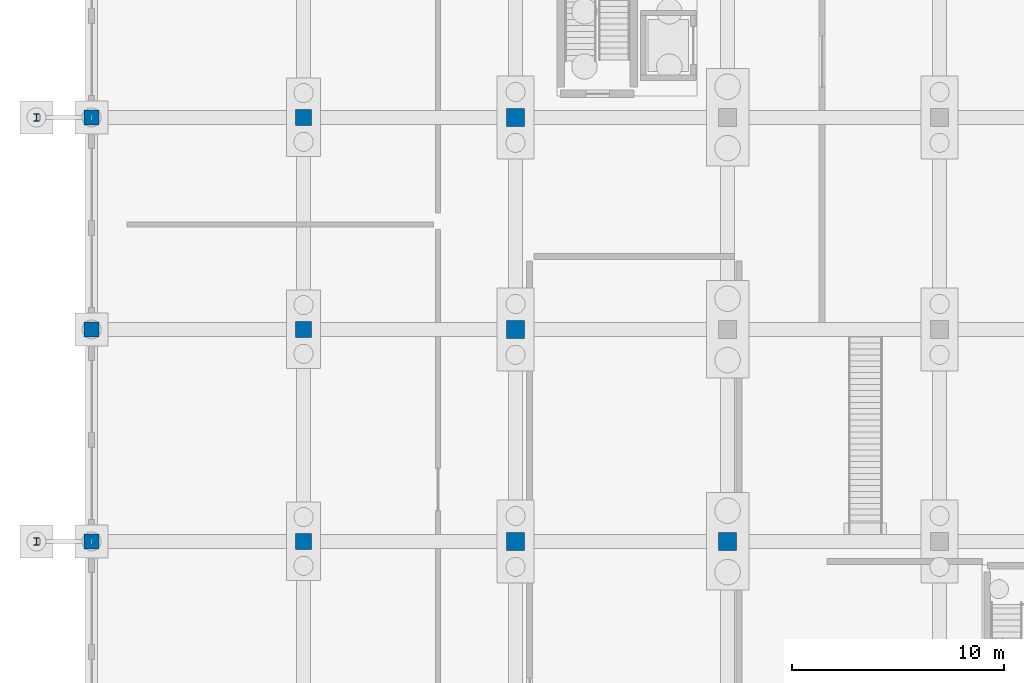
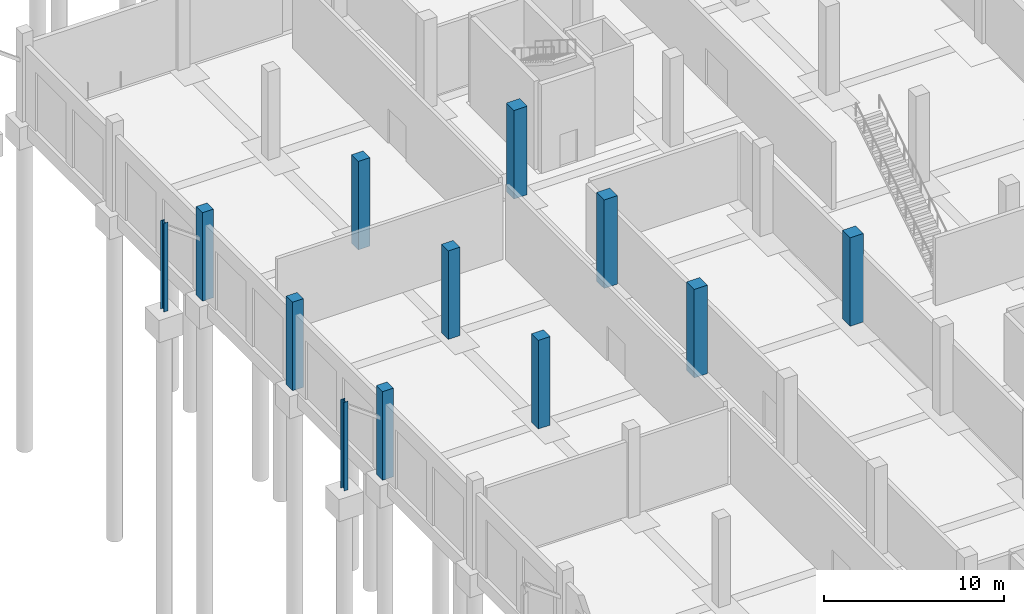
# One storey, part 18 of 140: 12 columns.
"""IFC4 building model written with IfcOpenShell, lengths in metres."""

from ifc_helpers import new_model, si_unit, direction, frame, origin, origin_2d, place, context, subcontext, project, spatial, rectangle, i_section, extrude, material, material_profile, profile_set, type_object, element, save


model = new_model("IFC4")

# Units and contexts
model_context = context("Model", 3, precision=1e-05, world=origin(), true_north=direction((0.0, 1.0)))
body_context = subcontext(model_context, "Body", "Model", "MODEL_VIEW")
ifc_project = project(units=[si_unit("LENGTHUNIT", "METRE"), si_unit("AREAUNIT", "SQUARE_METRE"), si_unit("VOLUMEUNIT", "CUBIC_METRE"), si_unit("PLANEANGLEUNIT", "RADIAN"), si_unit("MASSUNIT", "GRAM", prefix="KILO")], contexts=[model_context])

# Site, building, storey
site_placement = place(None, origin())
site = spatial("IfcSite", under=ifc_project, at=site_placement, CompositionType="ELEMENT")
building_placement = place(site_placement, origin())
building = spatial("IfcBuilding", under=site, at=building_placement, Name="Corvandel Quay Wholesale Market", CompositionType="ELEMENT")
storey_placement = place(building_placement, origin())
storey = spatial("IfcBuildingStorey", under=building, at=storey_placement, Name="L00", CompositionType="ELEMENT", Elevation=0.0)

# Columns
ifc_material_1 = material(Name="Precast concrete C45/55", Category="concrete")
ifc_material_profile_1 = material_profile(ifc_material_1, rectangle(XDim=0.85009765625, YDim=0.85009765625, at=origin_2d()), Name="PC-COL-850x850")
ifc_profile_set_1 = profile_set([ifc_material_profile_1], Name="Precast concrete C45/55")
column_type_1 = type_object("IfcColumnType", Name="Precast Column C01 850x850", PredefinedType="COLUMN", material=ifc_profile_set_1)
for number, where, z_axis, x_axis, name in (
    (1, (20.0, 70.0, 0.0), (0.0, 0.0, 1.0), (1.0, 0.0, 0.0), "Column COL-0629"),
    (2, (20.0, 80.0, 0.0), (0.0, 0.0, 1.0), (1.0, 0.0, 0.0), "Column COL-0632"),
    (3, (20.0, 90.0, 0.0), (0.0, 0.0, 1.0), (1.0, 0.0, 0.0), "Column COL-0635"),
    (4, (30.0, 70.0, 0.0), (0.0, 0.0, 1.0), (1.0, 0.0, 0.0), "Column COL-0669"),
):
    element("IfcColumn", number, at=place(storey_placement, frame(where, z_axis=z_axis, x_axis=x_axis)), inside=storey, type_object=column_type_1, Name=name, PredefinedType="COLUMN", context=body_context, shape_type="SweptSolid", body=[
        extrude(rectangle(XDim=0.85009765625, YDim=0.85009765625, at=origin_2d()), origin(), (0.0, 0.0, 1.0), 6.0),
    ])
ifc_material_profile_2 = material_profile(ifc_material_1, rectangle(XDim=0.75, YDim=0.75, at=origin_2d()), Name="PC-COL-750x750")
ifc_profile_set_2 = profile_set([ifc_material_profile_2], Name="Precast concrete C45/55")
column_type_2 = type_object("IfcColumnType", Name="Precast Column C03 750x750", PredefinedType="COLUMN", material=ifc_profile_set_2)
for number, where, z_axis, x_axis, name in (
    (5, (10.0, 70.0, 0.0), (0.0, 0.0, 1.0), (1.0, 0.0, 0.0), "Column COL-0606"),
    (6, (10.0, 80.0, 0.0), (0.0, 0.0, 1.0), (1.0, 0.0, 0.0), "Column COL-0607"),
    (7, (10.0, 90.0, 0.0), (0.0, 0.0, 1.0), (1.0, 0.0, 0.0), "Column COL-0608"),
):
    element("IfcColumn", number, at=place(storey_placement, frame(where, z_axis=z_axis, x_axis=x_axis)), inside=storey, type_object=column_type_2, Name=name, PredefinedType="COLUMN", context=body_context, shape_type="SweptSolid", body=[
        extrude(rectangle(XDim=0.75, YDim=0.75, at=origin_2d()), origin(), (0.0, 0.0, 1.0), 6.0),
    ])
ifc_material_profile_3 = material_profile(ifc_material_1, rectangle(XDim=0.699951171875, YDim=0.699951171875, at=origin_2d()), Name="PC-COL-700x700")
ifc_profile_set_3 = profile_set([ifc_material_profile_3], Name="Precast concrete C45/55")
column_type_3 = type_object("IfcColumnType", Name="Precast Column C04 700x700", PredefinedType="COLUMN", material=ifc_profile_set_3)
for number, where, z_axis, x_axis, name in (
    (8, (0.0, 70.0, 0.0), (0.0, 0.0, 1.0), (1.0, 0.0, 0.0), "Column COL-0595"),
    (9, (0.0, 80.0, 0.0), (0.0, 0.0, 1.0), (1.0, 0.0, 0.0), "Column COL-0596"),
    (10, (0.0, 90.0, 0.0), (0.0, 0.0, 1.0), (1.0, 0.0, 0.0), "Column COL-0597"),
):
    element("IfcColumn", number, at=place(storey_placement, frame(where, z_axis=z_axis, x_axis=x_axis)), inside=storey, type_object=column_type_3, Name=name, PredefinedType="COLUMN", context=body_context, shape_type="SweptSolid", body=[
        extrude(rectangle(XDim=0.699951171875, YDim=0.699951171875, at=origin_2d()), origin(), (0.0, 0.0, 1.0), 6.0),
    ])
ifc_material_2 = material(Name="Steel A992 Grade 50", Category="steel")
ifc_material_profile_4 = material_profile(ifc_material_2, i_section(OverallWidth=0.2548828125, OverallDepth=0.35693359375, WebThickness=0.010498046875, FlangeThickness=0.018310546875, at=origin_2d()), Name="W14X68")
ifc_profile_set_4 = profile_set([ifc_material_profile_4], Name="Steel A992 Grade 50")
column_type_4 = type_object("IfcColumnType", Name="Steel Canopy Column C13 W14X68", PredefinedType="COLUMN", material=ifc_profile_set_4)
for number, where, z_axis, x_axis, name in (
    (11, (-2.60009765625, 70.0, 0.0), (0.0, 0.0, 1.0), (1.0, 0.0, 0.0), "Column COL-0586"),
    (12, (-2.60009765625, 90.0, 0.0), (0.0, 0.0, 1.0), (1.0, 0.0, 0.0), "Column COL-0587"),
):
    element("IfcColumn", number, at=place(storey_placement, frame(where, z_axis=z_axis, x_axis=x_axis)), inside=storey, type_object=column_type_4, Name=name, PredefinedType="COLUMN", context=body_context, shape_type="SweptSolid", body=[
        extrude(i_section(OverallWidth=0.2548828125, OverallDepth=0.35693359375, WebThickness=0.010498046875, FlangeThickness=0.018310546875, at=origin_2d()), origin(), (0.0, 0.0, 1.0), 6.0),
    ])

save(model, "model.ifc")
